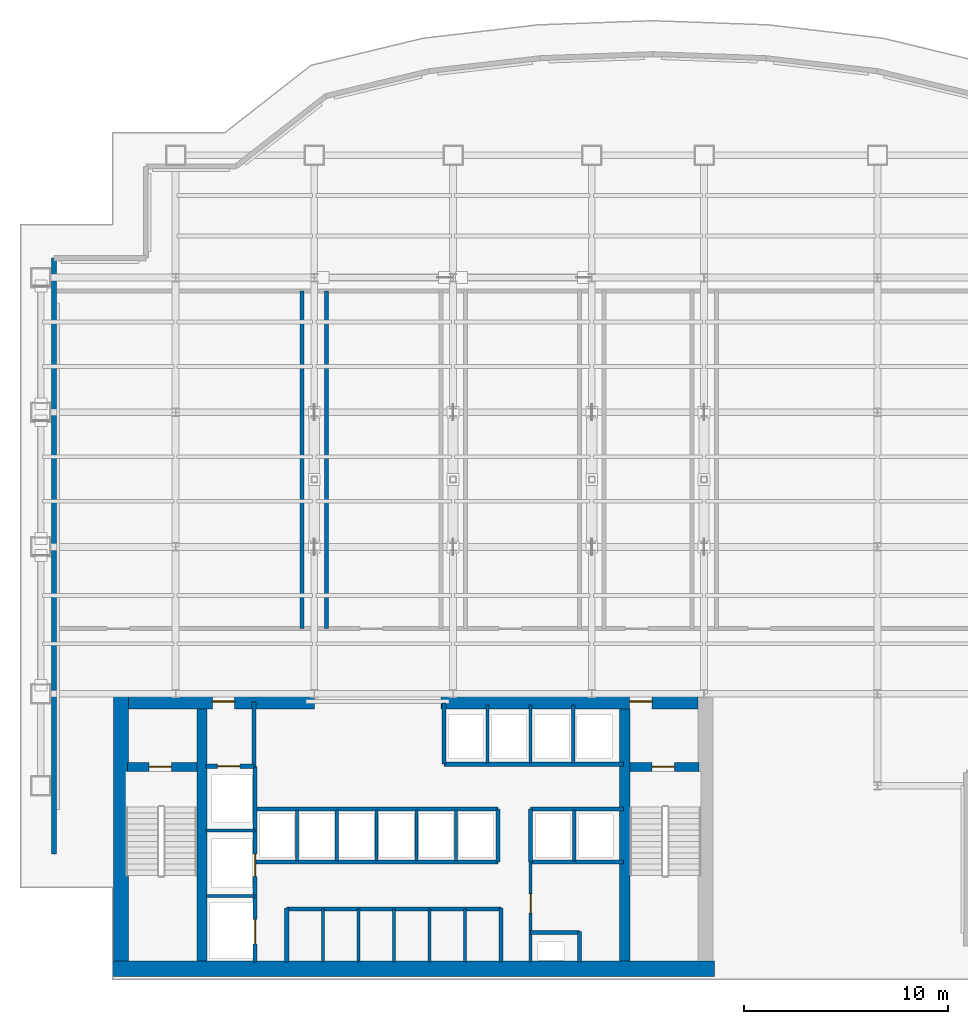
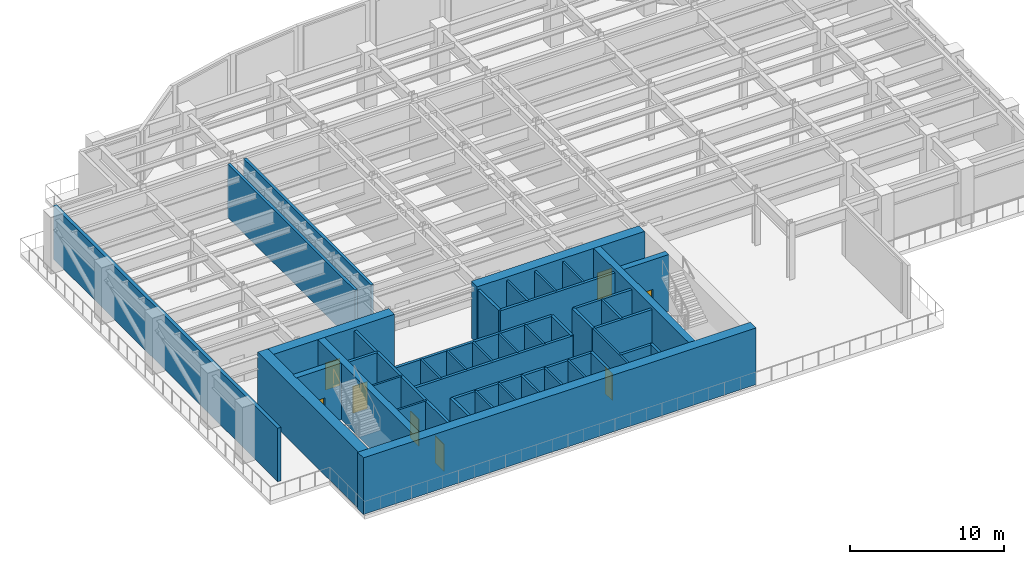
# One storey, part 10 of 14: 44 walls, 8 doors, 8 openings.
"""IFC4 building model written with IfcOpenShell, lengths in metres."""

from ifc_helpers import new_model, si_unit, derived_unit, direction, frame, frame_2d, origin, place, context, subcontext, project, spatial, rectangle, extrude, source, transform, mapped, material, layer, layer_set, type_object, element, fill, save


model = new_model("IFC4")

# Units and contexts
model_context = context("Model", 3, precision=1e-05, world=origin(), true_north=direction((0.0, 1.0)))
body_context = subcontext(model_context, "Body", "Model", "MODEL_VIEW")
ifc_project = project(units=[si_unit("LENGTHUNIT", "METRE"), si_unit("AREAUNIT", "SQUARE_METRE"), si_unit("VOLUMEUNIT", "CUBIC_METRE"), si_unit("PLANEANGLEUNIT", "RADIAN"), si_unit("MASSUNIT", "GRAM", prefix="KILO"), derived_unit("THERMALTRANSMITTANCEUNIT", [(si_unit("POWERUNIT", "WATT"), 1), (si_unit("LENGTHUNIT", "METRE"), -2), (si_unit("THERMODYNAMICTEMPERATUREUNIT", "KELVIN"), -1)])], contexts=[model_context])

# Site, building, storey
site_placement = place(None, origin())
site = spatial("IfcSite", under=ifc_project, at=site_placement, CompositionType="ELEMENT")
building_placement = place(site_placement, origin())
building = spatial("IfcBuilding", under=site, at=building_placement, Name="Skarnbrae Concourse Arena and Tower", CompositionType="ELEMENT")
storey_placement = place(building_placement, frame((0.0, 0.0, 84.14990234375)))
storey = spatial("IfcBuildingStorey", under=building, at=storey_placement, Name="L20", CompositionType="ELEMENT", Elevation=84.14990234375)

# Walls
ifc_material_1 = material(Name="Concrete 60 MPa (C60/75)", Category="concrete")
ifc_layer_1 = layer(ifc_material_1, 0.75)
ifc_layer_set_1 = layer_set([ifc_layer_1], Name="Concrete 60 MPa (C60/75)")
wall_type_1 = type_object("IfcWallType", Name="WALL-CORE-750-C60", PredefinedType="SHEAR", material=ifc_layer_set_1)
shared_shape_1 = source(origin(), body_context, "Body", "SweptSolid", [
    extrude(rectangle(XDim=29.5, YDim=0.75, at=frame_2d((14.75, 0.0))), origin(), (0.0, 0.0, 1.0), 4.5),
])
wall_1_placement = place(storey_placement, frame((4.5, 0.52490234375, 0.0), z_axis=(0.0, 0.0, 1.0), x_axis=(1.0, 0.0, 0.0)))
element("IfcWall", 1, at=wall_1_placement, inside=storey, type_object=wall_type_1, Name="L20 Rear core shear wall CW-S", PredefinedType="SHEAR", context=body_context, shape_type="MappedRepresentation", body=[
    mapped(shared_shape_1, transform((0.0, 0.0, 0.0))),
])
shared_shape_2 = source(origin(), body_context, "Body", "SweptSolid", [
    extrude(rectangle(XDim=13.10009765625, YDim=0.75, at=frame_2d((6.550048828125, 0.0))), origin(), (0.0, 0.0, 1.0), 4.5),
])
wall_2_placement = place(storey_placement, frame((4.925048828125, 0.89990234375, 0.0), z_axis=(0.0, 0.0, 1.0), x_axis=(0.0, 1.0, 0.0)))
element("IfcWall", 2, at=wall_2_placement, inside=storey, type_object=wall_type_1, Name="L20 Rear core shear wall CW-W", PredefinedType="SHEAR", context=body_context, shape_type="MappedRepresentation", body=[
    mapped(shared_shape_2, transform((0.0, 0.0, 0.0))),
])

# Wall, opening, door
shared_shape_3 = source(origin(), body_context, "Body", "SweptSolid", [
    extrude(rectangle(XDim=9.099853515625, YDim=0.75, at=frame_2d((4.5498046875, 0.0))), origin(), (0.0, 0.0, 1.0), 4.5),
])
wall_3_placement = place(storey_placement, frame((5.300048828125, 13.625, 0.0), z_axis=(0.0, 0.0, 1.0), x_axis=(1.0, 0.0, 0.0)))
wall_3 = element("IfcWall", 3, at=wall_3_placement, inside=storey, type_object=wall_type_1, Name="L20 Rear core shear wall CW-NW", PredefinedType="SHEAR", context=body_context, shape_type="MappedRepresentation", body=[
    mapped(shared_shape_3, transform((0.0, 0.0, 0.0))),
])
opening_1_placement = place(wall_3_placement, frame((4.10009765625, 0.0, 0.0)))
opening_1 = element("IfcOpeningElement", 4, at=opening_1_placement, cuts=wall_3, Name="Opening DT-03", PredefinedType="OPENING", context=body_context, shape_type="SweptSolid", body=[
    extrude(rectangle(XDim=1.10009765625, YDim=2.14990234375, at=frame_2d((0.550048828125, 1.074951171875))), frame((0.0, 0.385009765625, 0.0), z_axis=(0.0, -1.0, 0.0), x_axis=(1.0, 0.0, 0.0)), (0.0, 0.0, 1.0), 0.77001953125),
])
ifc_material_2 = material(Name="Steel CSA G40.21 350W", Category="steel")
door_type_1 = type_object("IfcDoorType", Name="DOOR-FIRE-1100-90M", OperationType="NOTDEFINED", PredefinedType="DOOR", material=ifc_material_2)
shared_shape_4 = source(origin(), body_context, "Body", "SweptSolid", [
    extrude(rectangle(XDim=1.10009765625, YDim=2.14990234375, at=frame_2d((0.550048828125, 1.074951171875))), frame((0.0, 0.02490234375, 0.0), z_axis=(0.0, -1.0, 0.0), x_axis=(1.0, 0.0, 0.0)), (0.0, 0.0, 1.0), 0.050048828125),
])
door_1_placement = place(opening_1_placement, origin())
door_1 = element("IfcDoor", 5, at=door_1_placement, inside=storey, type_object=door_type_1, Name="D-0722 Firefighting Lobby Exit Door", OperationType="SINGLE_SWING_RIGHT", OverallHeight=2.14990234375, OverallWidth=1.10009765625, PredefinedType="DOOR", context=body_context, shape_type="MappedRepresentation", body=[
    mapped(shared_shape_4, transform((0.0, 0.0, 0.0))),
])
fill(opening_1, door_1)

shared_shape_5 = source(origin(), body_context, "Body", "SweptSolid", [
    extrude(rectangle(XDim=12.599853515625, YDim=0.75, at=frame_2d((6.2998046875, 0.0))), origin(), (0.0, 0.0, 1.0), 4.5),
])
wall_4_placement = place(storey_placement, frame((20.60009765625, 13.625, 0.0), z_axis=(0.0, 0.0, 1.0), x_axis=(1.0, 0.0, 0.0)))
wall_4 = element("IfcWall", 6, at=wall_4_placement, inside=storey, type_object=wall_type_1, Name="L20 Rear core shear wall CW-NE", PredefinedType="SHEAR", context=body_context, shape_type="MappedRepresentation", body=[
    mapped(shared_shape_5, transform((0.0, 0.0, 0.0))),
])
opening_2_placement = place(wall_4_placement, frame((9.25, 0.0, 0.0)))
opening_2 = element("IfcOpeningElement", 7, at=opening_2_placement, cuts=wall_4, Name="Opening DT-03", PredefinedType="OPENING", context=body_context, shape_type="SweptSolid", body=[
    extrude(rectangle(XDim=1.10009765625, YDim=2.14990234375, at=frame_2d((0.550048828125, 1.074951171875))), frame((0.0, 0.385009765625, 0.0), z_axis=(0.0, -1.0, 0.0), x_axis=(1.0, 0.0, 0.0)), (0.0, 0.0, 1.0), 0.77001953125),
])
door_2_placement = place(opening_2_placement, origin())
door_2 = element("IfcDoor", 8, at=door_2_placement, inside=storey, type_object=door_type_1, Name="D-0723 Stair ST-2 Vestibule Door", OperationType="SINGLE_SWING_LEFT", OverallHeight=2.14990234375, OverallWidth=1.10009765625, PredefinedType="DOOR", context=body_context, shape_type="MappedRepresentation", body=[
    mapped(shared_shape_4, transform((0.0, 0.0, 0.0))),
])
fill(opening_2, door_2)

# Walls
ifc_layer_2 = layer(ifc_material_1, 0.5)
ifc_layer_set_2 = layer_set([ifc_layer_2], Name="Concrete 60 MPa (C60/75)")
wall_type_2 = type_object("IfcWallType", Name="WALL-CORE-500-C60", PredefinedType="SHEAR", material=ifc_layer_set_2)
shared_shape_6 = source(origin(), body_context, "Body", "SweptSolid", [
    extrude(rectangle(XDim=12.35009765625, YDim=0.5, at=frame_2d((6.175048828125, 0.0))), origin(), (0.0, 0.0, 1.0), 4.5),
])
for number, where, z_axis, x_axis, name in (
    (9, (8.889892578125, 0.89990234375, 0.0), (0.0, 0.0, 1.0), (0.0, 1.0, 0.0), "L20 Rear core shear wall CW-WEB-W"),
    (10, (29.610107421875, 0.89990234375, 0.0), (0.0, 0.0, 1.0), (0.0, 1.0, 0.0), "L20 Rear core shear wall CW-WEB-E"),
):
    element("IfcWall", number, at=place(storey_placement, frame(where, z_axis=z_axis, x_axis=x_axis)), inside=storey, type_object=wall_type_2, Name=name, PredefinedType="SHEAR", context=body_context, shape_type="MappedRepresentation", body=[
        mapped(shared_shape_6, transform((0.0, 0.0, 0.0))),
    ])

# Wall, opening, door
ifc_material_3 = material(Name="Concrete 50 MPa (C50/60)", Category="concrete")
ifc_layer_3 = layer(ifc_material_3, 0.449951171875)
ifc_layer_set_3 = layer_set([ifc_layer_3], Name="Concrete 50 MPa (C50/60)")
wall_type_3 = type_object("IfcWallType", Name="WALL-CORE-450-C50", PredefinedType="SHEAR", material=ifc_layer_set_3)
shared_shape_7 = source(origin(), body_context, "Body", "SweptSolid", [
    extrude(rectangle(XDim=3.389892578125, YDim=0.449951171875, at=frame_2d((1.69482421875, 0.0))), origin(), (0.0, 0.0, 1.0), 4.5),
])
wall_5_placement = place(storey_placement, frame((5.25, 10.419921875, 0.0), z_axis=(0.0, 0.0, 1.0), x_axis=(1.0, 0.0, 0.0)))
wall_5 = element("IfcWall", 11, at=wall_5_placement, inside=storey, type_object=wall_type_3, Name="L20 Rear core shear wall CW-ST1-N", PredefinedType="SHEAR", context=body_context, shape_type="MappedRepresentation", body=[
    mapped(shared_shape_7, transform((0.0, 0.0, 0.0))),
])
opening_3_placement = place(wall_5_placement, frame((1.050048828125, 0.0, 0.0)))
opening_3 = element("IfcOpeningElement", 12, at=opening_3_placement, cuts=wall_5, Name="Opening DT-03", PredefinedType="OPENING", context=body_context, shape_type="SweptSolid", body=[
    extrude(rectangle(XDim=1.10009765625, YDim=2.14990234375, at=frame_2d((0.550048828125, 1.074951171875))), frame((0.0, 0.23486328125, 0.0), z_axis=(0.0, -1.0, 0.0), x_axis=(1.0, 0.0, 0.0)), (0.0, 0.0, 1.0), 0.469970703125),
])
door_3_placement = place(opening_3_placement, frame((1.10009765625, 0.0, 0.0), z_axis=(0.0, 0.0, 1.0), x_axis=(-1.0, 0.0, 0.0)))
door_3 = element("IfcDoor", 13, at=door_3_placement, inside=storey, type_object=door_type_1, Name="D-0720 Stair ST-1 Door", OperationType="SINGLE_SWING_LEFT", OverallHeight=2.14990234375, OverallWidth=1.10009765625, PredefinedType="DOOR", context=body_context, shape_type="MappedRepresentation", body=[
    mapped(shared_shape_4, transform((0.0, 0.0, 0.0))),
])
fill(opening_3, door_3)

wall_6_placement = place(storey_placement, frame((29.860107421875, 10.419921875, 0.0), z_axis=(0.0, 0.0, 1.0), x_axis=(1.0, 0.0, 0.0)))
wall_6 = element("IfcWall", 14, at=wall_6_placement, inside=storey, type_object=wall_type_3, Name="L20 Rear core shear wall CW-ST2-N", PredefinedType="SHEAR", context=body_context, shape_type="MappedRepresentation", body=[
    mapped(shared_shape_7, transform((0.0, 0.0, 0.0))),
])
opening_4_placement = place(wall_6_placement, frame((1.10009765625, 0.0, 0.0)))
opening_4 = element("IfcOpeningElement", 15, at=opening_4_placement, cuts=wall_6, Name="Opening DT-03", PredefinedType="OPENING", context=body_context, shape_type="SweptSolid", body=[
    extrude(rectangle(XDim=1.10009765625, YDim=2.14990234375, at=frame_2d((0.550048828125, 1.074951171875))), frame((0.0, 0.23486328125, 0.0), z_axis=(0.0, -1.0, 0.0), x_axis=(1.0, 0.0, 0.0)), (0.0, 0.0, 1.0), 0.469970703125),
])
door_4_placement = place(opening_4_placement, frame((1.10009765625, 0.0, 0.0), z_axis=(0.0, 0.0, 1.0), x_axis=(-1.0, 0.0, 0.0)))
door_4 = element("IfcDoor", 16, at=door_4_placement, inside=storey, type_object=door_type_1, Name="D-0721 Stair ST-2 Door", OperationType="SINGLE_SWING_RIGHT", OverallHeight=2.14990234375, OverallWidth=1.10009765625, PredefinedType="DOOR", context=body_context, shape_type="MappedRepresentation", body=[
    mapped(shared_shape_4, transform((0.0, 0.0, 0.0))),
])
fill(opening_4, door_4)

# Walls
ifc_material_4 = material(Name="Precast concrete 40 MPa (C40/50)", Category="concrete")
ifc_layer_4 = layer(ifc_material_4, 0.25)
ifc_layer_set_4 = layer_set([ifc_layer_4], Name="Precast concrete 40 MPa (C40/50)")
wall_type_4 = type_object("IfcWallType", Name="WALL-EXT-SPANDREL-250", PredefinedType="STANDARD", material=ifc_layer_set_4)
shared_shape_8 = source(origin(), body_context, "Body", "SweptSolid", [
    extrude(rectangle(XDim=29.2001953125, YDim=0.25, at=frame_2d((14.60009765625, 0.0))), origin(), (0.0, 0.0, 1.0), 4.25),
])
wall_7_placement = place(storey_placement, frame((1.64990234375, 6.14990234375, 0.0), z_axis=(0.0, 0.0, 1.0), x_axis=(0.0, 1.0, 0.0)))
element("IfcWall", 17, at=wall_7_placement, inside=storey, type_object=wall_type_4, Name="L20 Recessed refuge mechanical band wall 03", PredefinedType="STANDARD", context=body_context, shape_type="MappedRepresentation", body=[
    mapped(shared_shape_8, transform((0.0, 0.0, 0.0))),
])
ifc_material_5 = material(Name="Gypsum board on cold-formed steel studs", Category="steel")
ifc_layer_5 = layer(ifc_material_5, 0.199951171875)
ifc_layer_set_5 = layer_set([ifc_layer_5], Name="Gypsum board on cold-formed steel studs")
wall_type_5 = type_object("IfcWallType", Name="WALL-PART-200-2HR", PredefinedType="PARTITIONING", material=ifc_layer_set_5)
shared_shape_9 = source(origin(), body_context, "Body", "SweptSolid", [
    extrude(rectangle(XDim=3.18017578125, YDim=0.199951171875, at=frame_2d((1.590087890625, 0.0))), origin(), (0.0, 0.0, 1.0), 4.25),
])
wall_8_placement = place(storey_placement, frame((11.449951171875, 10.419921875, 0.0), z_axis=(0.0, 0.0, 1.0), x_axis=(0.0, 1.0, 0.0)))
element("IfcWall", 18, at=wall_8_placement, inside=storey, type_object=wall_type_5, Name="L20 Interior partition wall W-L20-FFL-E", PredefinedType="PARTITIONING", context=body_context, shape_type="MappedRepresentation", body=[
    mapped(shared_shape_9, transform((0.0, 0.0, 0.0))),
])

# Wall, opening, door
shared_shape_10 = source(origin(), body_context, "Body", "SweptSolid", [
    extrude(rectangle(XDim=2.349853515625, YDim=0.199951171875, at=frame_2d((1.1748046875, 0.0))), origin(), (0.0, 0.0, 1.0), 4.25),
])
wall_9_placement = place(storey_placement, frame((9.10009765625, 10.449951171875, 0.0), z_axis=(0.0, 0.0, 1.0), x_axis=(1.0, 0.0, 0.0)))
wall_9 = element("IfcWall", 19, at=wall_9_placement, inside=storey, type_object=wall_type_5, Name="L20 Interior partition wall W-L20-FL1-N", PredefinedType="PARTITIONING", context=body_context, shape_type="MappedRepresentation", body=[
    mapped(shared_shape_10, transform((0.0, 0.0, 0.0))),
])
opening_5_placement = place(wall_9_placement, frame((0.550048828125, 0.0, 0.0)))
opening_5 = element("IfcOpeningElement", 20, at=opening_5_placement, cuts=wall_9, Name="Opening LD-01", PredefinedType="OPENING", context=body_context, shape_type="SweptSolid", body=[
    extrude(rectangle(XDim=1.10009765625, YDim=2.14990234375, at=frame_2d((0.550048828125, 1.074951171875))), frame((0.0, 0.10986328125, 0.0), z_axis=(0.0, -1.0, 0.0), x_axis=(1.0, 0.0, 0.0)), (0.0, 0.0, 1.0), 0.219970703125),
])
door_type_2 = type_object("IfcDoorType", Name="DOOR-LIFT-SLIDE-1100", OperationType="SLIDING_TO_LEFT", PredefinedType="DOOR", material=ifc_material_2)
door_5_placement = place(opening_5_placement, origin())
door_5 = element("IfcDoor", 21, at=door_5_placement, inside=storey, type_object=door_type_2, Name="D-0724 Firefighting Lift Landing Door FL-01", OperationType="SLIDING_TO_LEFT", OverallHeight=2.14990234375, OverallWidth=1.10009765625, PredefinedType="DOOR", context=body_context, shape_type="MappedRepresentation", body=[
    mapped(shared_shape_4, transform((0.0, 0.0, 0.0))),
])
fill(opening_5, door_5)

# Wall, openings, doors
shared_shape_11 = source(origin(), body_context, "Body", "SweptSolid", [
    extrude(rectangle(XDim=9.599853515625, YDim=0.199951171875, at=frame_2d((4.7998046875, 0.0))), origin(), (0.0, 0.0, 1.0), 4.25),
])
wall_10_placement = place(storey_placement, frame((11.5, 0.85009765625, 0.0), z_axis=(0.0, 0.0, 1.0), x_axis=(0.0, 1.0, 0.0)))
wall_10 = element("IfcWall", 22, at=wall_10_placement, inside=storey, type_object=wall_type_5, Name="L20 Interior partition wall W-L20-FL-E", PredefinedType="PARTITIONING", context=body_context, shape_type="MappedRepresentation", body=[
    mapped(shared_shape_11, transform((0.0, 0.0, 0.0))),
])
opening_6_placement = place(wall_10_placement, frame((4.199951171875, 0.0, 0.0)))
opening_6 = element("IfcOpeningElement", 23, at=opening_6_placement, cuts=wall_10, Name="Opening LD-01", PredefinedType="OPENING", context=body_context, shape_type="SweptSolid", body=[
    extrude(rectangle(XDim=1.10009765625, YDim=2.14990234375, at=frame_2d((0.550048828125, 1.074951171875))), frame((0.0, 0.10986328125, 0.0), z_axis=(0.0, -1.0, 0.0), x_axis=(1.0, 0.0, 0.0)), (0.0, 0.0, 1.0), 0.219970703125),
])
opening_7_placement = place(wall_10_placement, frame((0.89990234375, 0.0, 0.0)))
opening_7 = element("IfcOpeningElement", 24, at=opening_7_placement, cuts=wall_10, Name="Opening LD-02", PredefinedType="OPENING", context=body_context, shape_type="SweptSolid", body=[
    extrude(rectangle(XDim=1.199951171875, YDim=2.14990234375, at=frame_2d((0.60009765625, 1.074951171875))), frame((0.0, 0.10986328125, 0.0), z_axis=(0.0, -1.0, 0.0), x_axis=(1.0, 0.0, 0.0)), (0.0, 0.0, 1.0), 0.219970703125),
])
door_6_placement = place(opening_6_placement, frame((1.10009765625, 0.0, 0.0), z_axis=(0.0, 0.0, 1.0), x_axis=(-1.0, 0.0, 0.0)))
door_6 = element("IfcDoor", 25, at=door_6_placement, inside=storey, type_object=door_type_2, Name="D-0725 Firefighting Lift Landing Door FL-02", OperationType="SLIDING_TO_LEFT", OverallHeight=2.14990234375, OverallWidth=1.10009765625, PredefinedType="DOOR", context=body_context, shape_type="MappedRepresentation", body=[
    mapped(shared_shape_4, transform((0.0, 0.0, 0.0))),
])
fill(opening_6, door_6)
door_type_3 = type_object("IfcDoorType", Name="DOOR-LIFT-SLIDE-1200", OperationType="SLIDING_TO_LEFT", PredefinedType="DOOR", material=ifc_material_2)
shared_shape_12 = source(origin(), body_context, "Body", "SweptSolid", [
    extrude(rectangle(XDim=1.199951171875, YDim=2.14990234375, at=frame_2d((0.60009765625, 1.074951171875))), frame((0.0, 0.02490234375, 0.0), z_axis=(0.0, -1.0, 0.0), x_axis=(1.0, 0.0, 0.0)), (0.0, 0.0, 1.0), 0.050048828125),
])
door_7_placement = place(opening_7_placement, frame((1.199951171875, 0.0, 0.0), z_axis=(0.0, 0.0, 1.0), x_axis=(-1.0, 0.0, 0.0)))
door_7 = element("IfcDoor", 26, at=door_7_placement, inside=storey, type_object=door_type_3, Name="D-0726 Service Lift Landing Door SV-01", OperationType="SLIDING_TO_LEFT", OverallHeight=2.14990234375, OverallWidth=1.199951171875, PredefinedType="DOOR", context=body_context, shape_type="MappedRepresentation", body=[
    mapped(shared_shape_12, transform((0.0, 0.0, 0.0))),
])
fill(opening_7, door_7)

# Walls
ifc_layer_6 = layer(ifc_material_5, 0.14990234375)
ifc_layer_set_6 = layer_set([ifc_layer_6], Name="Gypsum board on cold-formed steel studs")
wall_type_6 = type_object("IfcWallType", Name="WALL-PART-150", PredefinedType="PARTITIONING", material=ifc_layer_set_6)
shared_shape_13 = source(origin(), body_context, "Body", "SweptSolid", [
    extrude(rectangle(XDim=2.39990234375, YDim=0.14990234375, at=frame_2d((1.199951171875, 0.0))), origin(), (0.0, 0.0, 1.0), 4.25),
])
for number, where, z_axis, x_axis, name in (
    (27, (9.10009765625, 4.10009765625, 0.0), (0.0, 0.0, 1.0), (1.0, 0.0, 0.0), "L20 Interior partition wall W-L20-FL-D1"),
    (28, (9.10009765625, 7.300048828125, 0.0), (0.0, 0.0, 1.0), (1.0, 0.0, 0.0), "L20 Interior partition wall W-L20-FL-D2"),
):
    element("IfcWall", number, at=place(storey_placement, frame(where, z_axis=z_axis, x_axis=x_axis)), inside=storey, type_object=wall_type_6, Name=name, PredefinedType="PARTITIONING", context=body_context, shape_type="MappedRepresentation", body=[
        mapped(shared_shape_13, transform((0.0, 0.0, 0.0))),
    ])
shared_shape_14 = source(origin(), body_context, "Body", "SweptSolid", [
    extrude(rectangle(XDim=2.64990234375, YDim=0.199951171875, at=frame_2d((1.324951171875, 0.0))), origin(), (0.0, 0.0, 1.0), 4.25),
])
for number, where, z_axis, x_axis, name in (
    (29, (13.050048828125, 0.85009765625, 0.0), (0.0, 0.0, 1.0), (0.0, 1.0, 0.0), "L20 Interior partition wall W-L20-B1-W"),
    (30, (23.550048828125, 0.85009765625, 0.0), (0.0, 0.0, 1.0), (0.0, 1.0, 0.0), "L20 Interior partition wall W-L20-B1-E"),
):
    element("IfcWall", number, at=place(storey_placement, frame(where, z_axis=z_axis, x_axis=x_axis)), inside=storey, type_object=wall_type_5, Name=name, PredefinedType="PARTITIONING", context=body_context, shape_type="MappedRepresentation", body=[
        mapped(shared_shape_14, transform((0.0, 0.0, 0.0))),
    ])
shared_shape_15 = source(origin(), body_context, "Body", "SweptSolid", [
    extrude(rectangle(XDim=11.849853515625, YDim=0.199951171875, at=frame_2d((5.9248046875, 0.0))), origin(), (0.0, 0.0, 1.0), 4.25),
])
for number, where, z_axis, x_axis, name in (
    (31, (11.550048828125, 5.75, 0.0), (0.0, 0.0, 1.0), (1.0, 0.0, 0.0), "L20 Interior partition wall W-L20-B2-S"),
    (32, (11.550048828125, 8.35009765625, 0.0), (0.0, 0.0, 1.0), (1.0, 0.0, 0.0), "L20 Interior partition wall W-L20-B2-N"),
):
    element("IfcWall", number, at=place(storey_placement, frame(where, z_axis=z_axis, x_axis=x_axis)), inside=storey, type_object=wall_type_5, Name=name, PredefinedType="PARTITIONING", context=body_context, shape_type="MappedRepresentation", body=[
        mapped(shared_shape_15, transform((0.0, 0.0, 0.0))),
    ])
shared_shape_16 = source(origin(), body_context, "Body", "SweptSolid", [
    extrude(rectangle(XDim=2.60009765625, YDim=0.199951171875, at=frame_2d((1.300048828125, 0.0))), origin(), (0.0, 0.0, 1.0), 4.25),
])
for number, where, z_axis, x_axis, name in (
    (33, (23.39990234375, 5.75, 0.0), (0.0, 0.0, 1.0), (0.0, 1.0, 0.0), "L20 Interior partition wall W-L20-B2-E"),
    (34, (25.0, 5.75, 0.0), (0.0, 0.0, 1.0), (0.0, 1.0, 0.0), "L20 Interior partition wall W-L20-B3S-W"),
):
    element("IfcWall", number, at=place(storey_placement, frame(where, z_axis=z_axis, x_axis=x_axis)), inside=storey, type_object=wall_type_5, Name=name, PredefinedType="PARTITIONING", context=body_context, shape_type="MappedRepresentation", body=[
        mapped(shared_shape_16, transform((0.0, 0.0, 0.0))),
    ])

# Wall, opening, door
ifc_layer_7 = layer(ifc_material_5, 0.14990234375)
ifc_layer_set_7 = layer_set([ifc_layer_7], Name="Gypsum board on cold-formed steel studs")
wall_type_7 = type_object("IfcWallType", Name="WALL-PART-150-1HR", PredefinedType="PARTITIONING", material=ifc_layer_set_7)
shared_shape_17 = source(origin(), body_context, "Body", "SweptSolid", [
    extrude(rectangle(XDim=4.89990234375, YDim=0.14990234375, at=frame_2d((2.449951171875, 0.0))), origin(), (0.0, 0.0, 1.0), 4.25),
])
wall_11_placement = place(storey_placement, frame((25.0, 0.85009765625, 0.0), z_axis=(0.0, 0.0, 1.0), x_axis=(0.0, 1.0, 0.0)))
wall_11 = element("IfcWall", 35, at=wall_11_placement, inside=storey, type_object=wall_type_7, Name="L20 Interior partition wall W-L20-CSV-W", PredefinedType="PARTITIONING", context=body_context, shape_type="MappedRepresentation", body=[
    mapped(shared_shape_17, transform((0.0, 0.0, 0.0))),
])
opening_8_placement = place(wall_11_placement, frame((2.39990234375, 0.0, 0.0)))
opening_8 = element("IfcOpeningElement", 36, at=opening_8_placement, cuts=wall_11, Name="Opening DT-04", PredefinedType="OPENING", context=body_context, shape_type="SweptSolid", body=[
    extrude(rectangle(XDim=0.949951171875, YDim=2.14990234375, at=frame_2d((0.47509765625, 1.074951171875))), frame((0.0, 0.0849609375, 0.0), z_axis=(0.0, -1.0, 0.0), x_axis=(1.0, 0.0, 0.0)), (0.0, 0.0, 1.0), 0.169921875),
])
door_type_4 = type_object("IfcDoorType", Name="DOOR-INT-950-45M", OperationType="NOTDEFINED", PredefinedType="DOOR", material=ifc_material_2)
shared_shape_18 = source(origin(), body_context, "Body", "SweptSolid", [
    extrude(rectangle(XDim=0.949951171875, YDim=2.14990234375, at=frame_2d((0.47509765625, 1.074951171875))), frame((0.0, 0.02490234375, 0.0), z_axis=(0.0, -1.0, 0.0), x_axis=(1.0, 0.0, 0.0)), (0.0, 0.0, 1.0), 0.050048828125),
])
door_8_placement = place(opening_8_placement, origin())
door_8 = element("IfcDoor", 37, at=door_8_placement, inside=storey, type_object=door_type_4, Name="D-0727 Core Riser Plant Door", OperationType="SINGLE_SWING_LEFT", OverallHeight=2.14990234375, OverallWidth=0.949951171875, PredefinedType="DOOR", context=body_context, shape_type="MappedRepresentation", body=[
    mapped(shared_shape_18, transform((0.0, 0.0, 0.0))),
])
fill(opening_8, door_8)

# Walls
shared_shape_19 = source(origin(), body_context, "Body", "SweptSolid", [
    extrude(rectangle(XDim=2.39990234375, YDim=0.199951171875, at=frame_2d((1.199951171875, 0.0))), origin(), (0.0, 0.0, 1.0), 4.25),
])
wall_12_placement = place(storey_placement, frame((25.0, 2.300048828125, 0.0), z_axis=(0.0, 0.0, 1.0), x_axis=(1.0, 0.0, 0.0)))
element("IfcWall", 38, at=wall_12_placement, inside=storey, type_object=wall_type_5, Name="L20 Interior partition wall W-L20-MEP-N", PredefinedType="PARTITIONING", context=body_context, shape_type="MappedRepresentation", body=[
    mapped(shared_shape_19, transform((0.0, 0.0, 0.0))),
])
shared_shape_20 = source(origin(), body_context, "Body", "SweptSolid", [
    extrude(rectangle(XDim=1.5, YDim=0.199951171875, at=frame_2d((0.75, 0.0))), origin(), (0.0, 0.0, 1.0), 4.25),
])
wall_13_placement = place(storey_placement, frame((27.39990234375, 0.85009765625, 0.0), z_axis=(0.0, 0.0, 1.0), x_axis=(0.0, 1.0, 0.0)))
element("IfcWall", 39, at=wall_13_placement, inside=storey, type_object=wall_type_5, Name="L20 Interior partition wall W-L20-MEP-E", PredefinedType="PARTITIONING", context=body_context, shape_type="MappedRepresentation", body=[
    mapped(shared_shape_20, transform((0.0, 0.0, 0.0))),
])
shared_shape_21 = source(origin(), body_context, "Body", "SweptSolid", [
    extrude(rectangle(XDim=10.5, YDim=0.199951171875, at=frame_2d((5.25, 0.0))), origin(), (0.0, 0.0, 1.0), 4.25),
])
wall_14_placement = place(storey_placement, frame((13.050048828125, 3.449951171875, 0.0), z_axis=(0.0, 0.0, 1.0), x_axis=(1.0, 0.0, 0.0)))
element("IfcWall", 40, at=wall_14_placement, inside=storey, type_object=wall_type_5, Name="L20 Interior partition wall W-L20-B1-N", PredefinedType="PARTITIONING", context=body_context, shape_type="MappedRepresentation", body=[
    mapped(shared_shape_21, transform((0.0, 0.0, 0.0))),
])
shared_shape_22 = source(origin(), body_context, "Body", "SweptSolid", [
    extrude(rectangle(XDim=2.599853515625, YDim=0.14990234375, at=frame_2d((1.2998046875, 0.0))), origin(), (0.0, 0.0, 1.0), 4.25),
])
for number, where, z_axis, x_axis, name in (
    (41, (14.820068359375, 0.85009765625, 0.0), (0.0, 0.0, 1.0), (0.0, 1.0, 0.0), "L20 Interior partition wall W-L20-B1-P1"),
    (42, (16.56005859375, 0.85009765625, 0.0), (0.0, 0.0, 1.0), (0.0, 1.0, 0.0), "L20 Interior partition wall W-L20-B1-P2"),
    (43, (18.300048828125, 0.85009765625, 0.0), (0.0, 0.0, 1.0), (0.0, 1.0, 0.0), "L20 Interior partition wall W-L20-B1-P3"),
    (44, (20.0400390625, 0.85009765625, 0.0), (0.0, 0.0, 1.0), (0.0, 1.0, 0.0), "L20 Interior partition wall W-L20-B1-P4"),
    (45, (21.780029296875, 0.85009765625, 0.0), (0.0, 0.0, 1.0), (0.0, 1.0, 0.0), "L20 Interior partition wall W-L20-B1-P5"),
):
    element("IfcWall", number, at=place(storey_placement, frame(where, z_axis=z_axis, x_axis=x_axis)), inside=storey, type_object=wall_type_6, Name=name, PredefinedType="PARTITIONING", context=body_context, shape_type="MappedRepresentation", body=[
        mapped(shared_shape_22, transform((0.0, 0.0, 0.0))),
    ])
shared_shape_23 = source(origin(), body_context, "Body", "SweptSolid", [
    extrude(rectangle(XDim=2.5, YDim=0.14990234375, at=frame_2d((1.25, 0.0))), origin(), (0.0, 0.0, 1.0), 4.25),
])
for number, where, z_axis, x_axis, name in (
    (46, (13.550048828125, 5.800048828125, 0.0), (0.0, 0.0, 1.0), (0.0, 1.0, 0.0), "L20 Interior partition wall W-L20-B2-P1"),
    (47, (15.5, 5.800048828125, 0.0), (0.0, 0.0, 1.0), (0.0, 1.0, 0.0), "L20 Interior partition wall W-L20-B2-P2"),
    (48, (17.449951171875, 5.800048828125, 0.0), (0.0, 0.0, 1.0), (0.0, 1.0, 0.0), "L20 Interior partition wall W-L20-B2-P3"),
    (49, (19.39990234375, 5.800048828125, 0.0), (0.0, 0.0, 1.0), (0.0, 1.0, 0.0), "L20 Interior partition wall W-L20-B2-P4"),
    (50, (21.35009765625, 5.800048828125, 0.0), (0.0, 0.0, 1.0), (0.0, 1.0, 0.0), "L20 Interior partition wall W-L20-B2-P5"),
    (51, (27.139892578125, 5.800048828125, 0.0), (0.0, 0.0, 1.0), (0.0, 1.0, 0.0), "L20 Interior partition wall W-L20-B3S-P1"),
):
    element("IfcWall", number, at=place(storey_placement, frame(where, z_axis=z_axis, x_axis=x_axis)), inside=storey, type_object=wall_type_6, Name=name, PredefinedType="PARTITIONING", context=body_context, shape_type="MappedRepresentation", body=[
        mapped(shared_shape_23, transform((0.0, 0.0, 0.0))),
    ])
shared_shape_24 = source(origin(), body_context, "Body", "SweptSolid", [
    extrude(rectangle(XDim=8.800048828125, YDim=0.199951171875, at=frame_2d((4.39990234375, 0.0))), origin(), (0.0, 0.0, 1.0), 4.25),
])
wall_15_placement = place(storey_placement, frame((20.75, 10.550048828125, 0.0), z_axis=(0.0, 0.0, 1.0), x_axis=(1.0, 0.0, 0.0)))
element("IfcWall", 52, at=wall_15_placement, inside=storey, type_object=wall_type_5, Name="L20 Interior partition wall W-L20-B3N-S", PredefinedType="PARTITIONING", context=body_context, shape_type="MappedRepresentation", body=[
    mapped(shared_shape_24, transform((0.0, 0.0, 0.0))),
])
shared_shape_25 = source(origin(), body_context, "Body", "SweptSolid", [
    extrude(rectangle(XDim=3.0, YDim=0.199951171875, at=frame_2d((1.5, 0.0))), origin(), (0.0, 0.0, 1.0), 4.25),
])
wall_16_placement = place(storey_placement, frame((20.75, 10.550048828125, 0.0), z_axis=(0.0, 0.0, 1.0), x_axis=(0.0, 1.0, 0.0)))
element("IfcWall", 53, at=wall_16_placement, inside=storey, type_object=wall_type_5, Name="L20 Interior partition wall W-L20-B3N-W", PredefinedType="PARTITIONING", context=body_context, shape_type="MappedRepresentation", body=[
    mapped(shared_shape_25, transform((0.0, 0.0, 0.0))),
])
shared_shape_26 = source(origin(), body_context, "Body", "SweptSolid", [
    extrude(rectangle(XDim=2.849853515625, YDim=0.14990234375, at=frame_2d((1.4248046875, 0.0))), origin(), (0.0, 0.0, 1.0), 4.25),
])
for number, where, z_axis, x_axis, name in (
    (54, (22.889892578125, 10.60009765625, 0.0), (0.0, 0.0, 1.0), (0.0, 1.0, 0.0), "L20 Interior partition wall W-L20-B3N-P1"),
    (55, (24.989990234375, 10.60009765625, 0.0), (0.0, 0.0, 1.0), (0.0, 1.0, 0.0), "L20 Interior partition wall W-L20-B3N-P2"),
    (56, (27.090087890625, 10.60009765625, 0.0), (0.0, 0.0, 1.0), (0.0, 1.0, 0.0), "L20 Interior partition wall W-L20-B3N-P3"),
):
    element("IfcWall", number, at=place(storey_placement, frame(where, z_axis=z_axis, x_axis=x_axis)), inside=storey, type_object=wall_type_6, Name=name, PredefinedType="PARTITIONING", context=body_context, shape_type="MappedRepresentation", body=[
        mapped(shared_shape_26, transform((0.0, 0.0, 0.0))),
    ])
shared_shape_27 = source(origin(), body_context, "Body", "SweptSolid", [
    extrude(rectangle(XDim=4.550048828125, YDim=0.199951171875, at=frame_2d((2.27490234375, 0.0))), origin(), (0.0, 0.0, 1.0), 4.25),
])
for number, where, z_axis, x_axis, name in (
    (57, (25.0, 8.35009765625, 0.0), (0.0, 0.0, 1.0), (1.0, 0.0, 0.0), "L20 Interior partition wall W-L20-B3S-N"),
    (58, (25.0, 5.75, 0.0), (0.0, 0.0, 1.0), (1.0, 0.0, 0.0), "L20 Interior partition wall W-L20-B3S-S"),
):
    element("IfcWall", number, at=place(storey_placement, frame(where, z_axis=z_axis, x_axis=x_axis)), inside=storey, type_object=wall_type_5, Name=name, PredefinedType="PARTITIONING", context=body_context, shape_type="MappedRepresentation", body=[
        mapped(shared_shape_27, transform((0.0, 0.0, 0.0))),
    ])
shared_shape_28 = source(origin(), body_context, "Body", "SweptSolid", [
    extrude(rectangle(XDim=16.550048828125, YDim=0.199951171875, at=frame_2d((8.27490234375, 0.0))), origin(), (0.0, 0.0, 1.0), 4.25),
])
for number, where, z_axis, x_axis, name in (
    (59, (13.800048828125, 17.199951171875, 0.0), (0.0, 0.0, 1.0), (0.0, 1.0, 0.0), "L20 Interior partition wall W-L20-OCH-138"),
    (60, (15.0, 17.199951171875, 0.0), (0.0, 0.0, 1.0), (0.0, 1.0, 0.0), "L20 Interior partition wall W-L20-OCH-150"),
):
    element("IfcWall", number, at=place(storey_placement, frame(where, z_axis=z_axis, x_axis=x_axis)), inside=storey, type_object=wall_type_5, Name=name, PredefinedType="PARTITIONING", context=body_context, shape_type="MappedRepresentation", body=[
        mapped(shared_shape_28, transform((0.0, 0.0, 0.0))),
    ])

save(model, "model.ifc")
